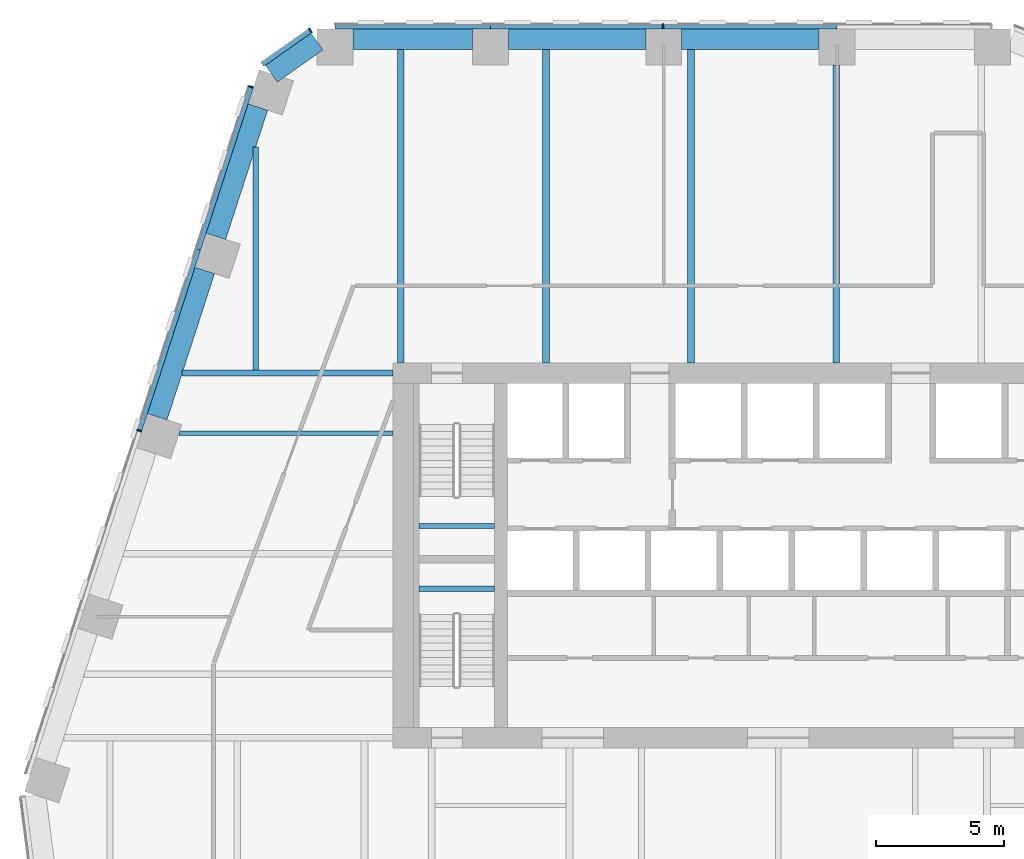
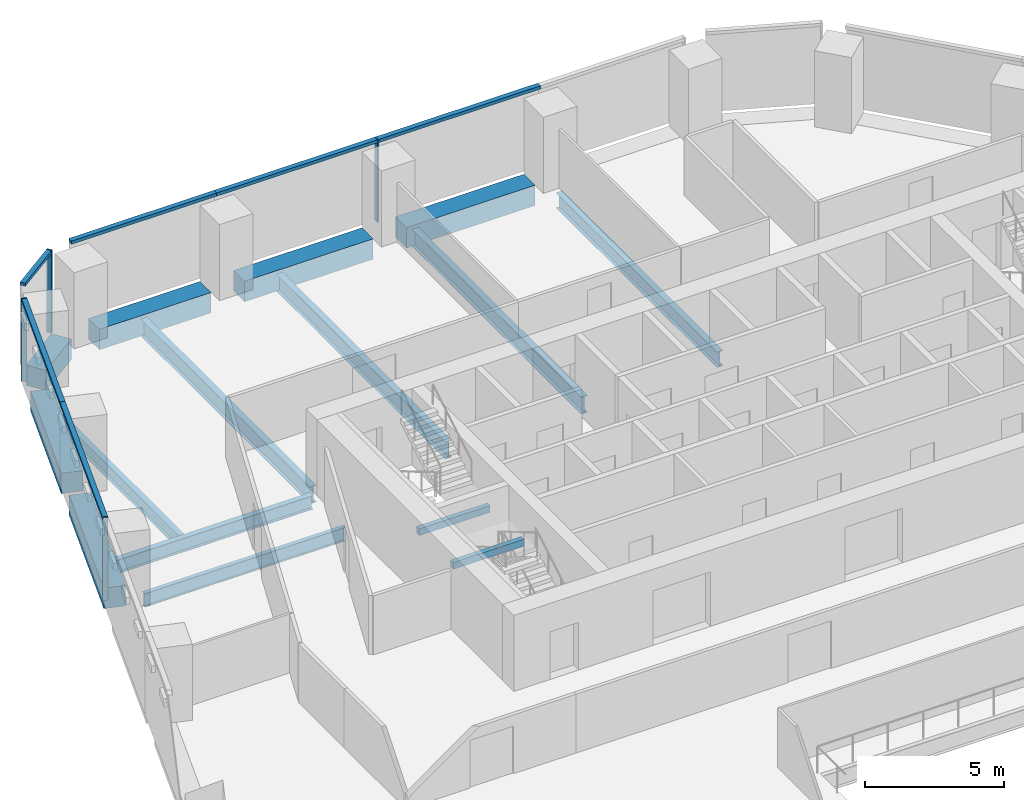
# One storey, part 7 of 17: 15 beams, 10 members, 3 elements without a shape of their own.
"""IFC4 building model written with IfcOpenShell, lengths in metres."""

from ifc_helpers import new_model, si_unit, direction, frame, origin, origin_2d, place, context, subcontext, project, spatial, rectangle, i_section, extrude, material, layer, layer_set, material_profile, profile_set, type_object, element, aggregate, save


model = new_model("IFC4")

# Units and contexts
model_context = context("Model", 3, precision=1e-05, world=origin(), true_north=direction((0.0, 1.0)))
body_context = subcontext(model_context, "Body", "Model", "MODEL_VIEW")
ifc_project = project(units=[si_unit("LENGTHUNIT", "METRE"), si_unit("AREAUNIT", "SQUARE_METRE"), si_unit("VOLUMEUNIT", "CUBIC_METRE"), si_unit("PLANEANGLEUNIT", "RADIAN"), si_unit("MASSUNIT", "GRAM", prefix="KILO")], contexts=[model_context])

# Site, building, storey
site_placement = place(None, origin())
site = spatial("IfcSite", under=ifc_project, at=site_placement, CompositionType="ELEMENT")
building_placement = place(site_placement, origin())
building = spatial("IfcBuilding", under=site, at=building_placement, Name="Isthmus Gate Tower", CompositionType="ELEMENT")
storey_placement = place(building_placement, frame((0.0, 0.0, 162.64990234375)))
storey = spatial("IfcBuildingStorey", under=building, at=storey_placement, Name="L40", CompositionType="ELEMENT", Elevation=162.64990234375)

# Curtain wall, member
ifc_material_1 = material(Name="Aluminium, pale champagne anodised", Category="aluminium")
ifc_layer = layer(ifc_material_1, 0.199951171875)
ifc_layer_set = layer_set([ifc_layer], Name="CW-1 UNITISED CURTAIN WALL 200 DEEP")
curtain_wall_type = type_object("IfcCurtainWallType", Name="CW-1 UNITISED CURTAIN WALL 200 DEEP", PredefinedType="NOTDEFINED", material=ifc_layer_set)
curtain_wall_1_placement = place(storey_placement, origin())
curtain_wall_1 = element("IfcCurtainWall", 1, at=curtain_wall_1_placement, inside=storey, type_object=curtain_wall_type, Name="CW-1 N L40", PredefinedType="NOTDEFINED")
ifc_material_2 = material(Name="Aluminium, pale champagne anodised", Category="aluminium")
ifc_material_profile_1 = material_profile(ifc_material_2, rectangle(XDim=0.06005859375, YDim=0.199951171875, at=origin_2d()), Name="60x200")
ifc_profile_set_1 = profile_set([ifc_material_profile_1], Name="Aluminium, pale champagne anodised")
member_type_1 = type_object("IfcMemberType", Name="CW-1 MULLION 60 X 200", PredefinedType="MULLION", material=ifc_profile_set_1)
member_1_placement = place(storey_placement, frame((-4.49169921875, 28.10009765625, 0.0), z_axis=(0.0, 0.0, 1.0), x_axis=(-1.0, 0.0, 0.0)))
member_1 = element("IfcMember", 2, at=member_1_placement, type_object=member_type_1, Name="CW-1 mullion", PredefinedType="MULLION", context=body_context, shape_type="SweptSolid", body=[
    extrude(rectangle(XDim=0.06005859375, YDim=0.199951171875, at=origin_2d()), origin(), (0.0, 0.0, 1.0), 3.650146484375),
])

curtain_wall_2_placement = place(storey_placement, origin())
curtain_wall_2 = element("IfcCurtainWall", 3, at=curtain_wall_2_placement, inside=storey, type_object=curtain_wall_type, Name="CW-1 N-NW L40", PredefinedType="NOTDEFINED")
member_2_placement = place(storey_placement, frame((-18.216552734375, 27.943115234375, 0.0), z_axis=(0.0, 0.0, 1.0), x_axis=(-0.81785959165, -0.57541783805, 0.0)))
member_2 = element("IfcMember", 4, at=member_2_placement, type_object=member_type_1, Name="CW-1 mullion", PredefinedType="MULLION", context=body_context, shape_type="SweptSolid", body=[
    extrude(rectangle(XDim=0.06005859375, YDim=0.199951171875, at=origin_2d()), origin(), (0.0, 0.0, 1.0), 3.650146484375),
])

# Curtain wall, members
curtain_wall_3_placement = place(storey_placement, origin())
curtain_wall_3 = element("IfcCurtainWall", 5, at=curtain_wall_3_placement, inside=storey, type_object=curtain_wall_type, Name="CW-1 NW L40", PredefinedType="NOTDEFINED")
member_3_placement = place(storey_placement, frame((-20.53564453125, 25.75146484375, 0.0), z_axis=(0.0, 0.0, 1.0), x_axis=(-0.309016994375, -0.951056516295, 0.0)))
member_3 = element("IfcMember", 6, at=member_3_placement, type_object=member_type_1, Name="CW-1 mullion", PredefinedType="MULLION", context=body_context, shape_type="SweptSolid", body=[
    extrude(rectangle(XDim=0.06005859375, YDim=0.199951171875, at=origin_2d()), origin(), (0.0, 0.0, 1.0), 3.650146484375),
])
member_4_placement = place(storey_placement, frame((-24.886962890625, 12.359130859375, 0.0), z_axis=(0.0, 0.0, 1.0), x_axis=(-0.309016994375, -0.951056516295, 0.0)))
member_4 = element("IfcMember", 7, at=member_4_placement, type_object=member_type_1, Name="CW-1 mullion", PredefinedType="MULLION", context=body_context, shape_type="SweptSolid", body=[
    extrude(rectangle(XDim=0.06005859375, YDim=0.199951171875, at=origin_2d()), origin(), (0.0, 0.0, 1.0), 3.650146484375),
])

# Member
ifc_material_3 = material(Name="Aluminium, pale champagne anodised", Category="aluminium")
ifc_material_profile_2 = material_profile(ifc_material_3, rectangle(XDim=0.199951171875, YDim=0.139892578125, at=origin_2d()), Name="200x140")
ifc_profile_set_2 = profile_set([ifc_material_profile_2], Name="Aluminium, pale champagne anodised")
member_type_2 = type_object("IfcMemberType", Name="CW-1 TRANSOM 200 X 140", PredefinedType="USERDEFINED", material=ifc_profile_set_2)
member_5_placement = place(storey_placement, frame((2.288330078125, 28.10009765625, 3.580078125), z_axis=(-1.0, 0.0, 0.0), x_axis=(0.0, -1.0, 0.0)))
member_5 = element("IfcMember", 8, at=member_5_placement, type_object=member_type_2, Name="CW-1 transom", ObjectType="TRANSOM", PredefinedType="USERDEFINED", context=body_context, shape_type="SweptSolid", body=[
    extrude(rectangle(XDim=0.199951171875, YDim=0.139892578125, at=origin_2d()), origin(), (0.0, 0.0, 1.0), 6.75),
])

member_6_placement = place(storey_placement, frame((-4.521728515625, 28.10009765625, 3.580078125), z_axis=(-1.0, 0.0, 0.0), x_axis=(0.0, -1.0, 0.0)))
member_6 = element("IfcMember", 9, at=member_6_placement, type_object=member_type_2, Name="CW-1 transom", ObjectType="TRANSOM", PredefinedType="USERDEFINED", context=body_context, shape_type="SweptSolid", body=[
    extrude(rectangle(XDim=0.199951171875, YDim=0.139892578125, at=origin_2d()), origin(), (0.0, 0.0, 1.0), 6.690185546875),
])

member_7_placement = place(storey_placement, frame((-11.2119140625, 28.10009765625, 3.580078125), z_axis=(-1.0, 0.0, 0.0), x_axis=(0.0, -1.0, 0.0)))
member_7 = element("IfcMember", 10, at=member_7_placement, type_object=member_type_2, Name="CW-1 transom", ObjectType="TRANSOM", PredefinedType="USERDEFINED", context=body_context, shape_type="SweptSolid", body=[
    extrude(rectangle(XDim=0.199951171875, YDim=0.139892578125, at=origin_2d()), origin(), (0.0, 0.0, 1.0), 6.050048828125),
])

aggregate(curtain_wall_1, [member_5, member_1, member_6, member_7])

member_8_placement = place(storey_placement, frame((-18.2412109375, 27.92578125, 3.580078125), z_axis=(-0.817868595604, -0.575405040233, 0.0), x_axis=(0.575405040233, -0.817868595604, 0.0)))
member_8 = element("IfcMember", 11, at=member_8_placement, type_object=member_type_2, Name="CW-1 transom", ObjectType="TRANSOM", PredefinedType="USERDEFINED", context=body_context, shape_type="SweptSolid", body=[
    extrude(rectangle(XDim=0.199951171875, YDim=0.139892578125, at=origin_2d()), origin(), (0.0, 0.0, 1.0), 2.258544921875),
])

aggregate(curtain_wall_2, [member_2, member_8])

member_9_placement = place(storey_placement, frame((-20.544921875, 25.72314453125, 3.580078125), z_axis=(-0.30898366881, -0.951067343782, 0.0), x_axis=(0.951067343782, -0.30898366881, 0.0)))
member_9 = element("IfcMember", 12, at=member_9_placement, type_object=member_type_2, Name="CW-1 transom", ObjectType="TRANSOM", PredefinedType="USERDEFINED", context=body_context, shape_type="SweptSolid", body=[
    extrude(rectangle(XDim=0.199951171875, YDim=0.139892578125, at=origin_2d()), origin(), (0.0, 0.0, 1.0), 6.630859375),
])

member_10_placement = place(storey_placement, frame((-22.59375, 19.416748046875, 3.580078125), z_axis=(-0.309024076379, -0.951054215183, 0.0), x_axis=(0.951054215183, -0.309024076379, 0.0)))
member_10 = element("IfcMember", 13, at=member_10_placement, type_object=member_type_2, Name="CW-1 transom", ObjectType="TRANSOM", PredefinedType="USERDEFINED", context=body_context, shape_type="SweptSolid", body=[
    extrude(rectangle(XDim=0.199951171875, YDim=0.139892578125, at=origin_2d()), origin(), (0.0, 0.0, 1.0), 7.390869140625),
])

aggregate(curtain_wall_3, [member_3, member_9, member_10, member_4])

# Beams
ifc_material_4 = material(Name="Concrete f'c 60 MPa", Category="concrete")
ifc_material_profile_3 = material_profile(ifc_material_4, rectangle(XDim=0.800048828125, YDim=0.89990234375, at=origin_2d()), Name="RC 800X900")
ifc_profile_set_3 = profile_set([ifc_material_profile_3], Name="Concrete f'c 60 MPa")
beam_type_1 = type_object("IfcBeamType", Name="RC SPANDREL 800 X 900", PredefinedType="SPANDREL", material=ifc_profile_set_3)
beam_1_placement = place(storey_placement, frame((-24.185791015625, 12.89892578125, -0.449951171875), z_axis=(0.308992998998, 0.951064312531, 0.0), x_axis=(-0.951064312531, 0.308992998998, 0.0)))
element("IfcBeam", 14, at=beam_1_placement, inside=storey, type_object=beam_type_1, Name="str-spandrel-L40-23", PredefinedType="SPANDREL", context=body_context, shape_type="SweptSolid", body=[
    extrude(rectangle(XDim=0.800048828125, YDim=0.89990234375, at=origin_2d()), origin(), (0.0, 0.0, 1.0), 5.99072265625),
])
beam_2_placement = place(storey_placement, frame((-21.902099609375, 19.927978515625, -0.449951171875), z_axis=(0.309020339202, 0.951055429489, 0.0), x_axis=(-0.951055429489, 0.309020339202, 0.0)))
element("IfcBeam", 15, at=beam_2_placement, inside=storey, type_object=beam_type_1, Name="str-spandrel-L40-24", PredefinedType="SPANDREL", context=body_context, shape_type="SweptSolid", body=[
    extrude(rectangle(XDim=0.800048828125, YDim=0.89990234375, at=origin_2d()), origin(), (0.0, 0.0, 1.0), 5.291015625),
])
beam_3_placement = place(storey_placement, frame((-19.7392578125, 26.260498046875, -0.449951171875), z_axis=(0.817857331203, 0.575421050882, 0.0), x_axis=(-0.575421050882, 0.817857331203, 0.0)))
element("IfcBeam", 16, at=beam_3_placement, inside=storey, type_object=beam_type_1, Name="str-spandrel-L40-25", PredefinedType="SPANDREL", context=body_context, shape_type="SweptSolid", body=[
    extrude(rectangle(XDim=0.800048828125, YDim=0.89990234375, at=origin_2d()), origin(), (0.0, 0.0, 1.0), 2.173095703125),
])
beam_4_placement = place(storey_placement, frame((-16.56201171875, 27.60009765625, -0.449951171875), z_axis=(1.0, 0.0, 0.0), x_axis=(0.0, 1.0, 0.0)))
element("IfcBeam", 17, at=beam_4_placement, inside=storey, type_object=beam_type_1, Name="str-spandrel-L40-26", PredefinedType="SPANDREL", context=body_context, shape_type="SweptSolid", body=[
    extrude(rectangle(XDim=0.800048828125, YDim=0.89990234375, at=origin_2d()), origin(), (0.0, 0.0, 1.0), 4.650146484375),
])
for number, where, z_axis, x_axis, name in (
    (18, (-10.51171875, 27.60009765625, -0.449951171875), (1.0, 0.0, 0.0), (0.0, 1.0, 0.0), "str-spandrel-L40-27"),
    (19, (-3.76171875, 27.60009765625, -0.449951171875), (1.0, 0.0, 0.0), (0.0, 1.0, 0.0), "str-spandrel-L40-28"),
):
    element("IfcBeam", number, at=place(storey_placement, frame(where, z_axis=z_axis, x_axis=x_axis)), inside=storey, type_object=beam_type_1, Name=name, PredefinedType="SPANDREL", context=body_context, shape_type="SweptSolid", body=[
        extrude(rectangle(XDim=0.800048828125, YDim=0.89990234375, at=origin_2d()), origin(), (0.0, 0.0, 1.0), 5.35009765625),
    ])
ifc_material_5 = material(Name="Concrete f'c 40 MPa", Category="concrete")
ifc_material_profile_4 = material_profile(ifc_material_5, rectangle(XDim=0.199951171875, YDim=0.300048828125, at=origin_2d()), Name="STAIR LANDING BEAM RC 200 X 300")
ifc_profile_set_4 = profile_set([ifc_material_profile_4], Name="Concrete f'c 40 MPa")
beam_type_2 = type_object("IfcBeamType", Name="STAIR LANDING BEAM RC 200 X 300", PredefinedType="BEAM", material=ifc_profile_set_4)
for number, where, z_axis, x_axis, name in (
    (20, (-14.0, 8.64990234375, 1.47509765625), (1.0, 0.0, 0.0), (0.0, 1.0, 0.0), "L40 ST1 landing beam 1"),
    (21, (-14.0, 6.199951171875, 1.47509765625), (1.0, 0.0, 0.0), (0.0, 1.0, 0.0), "L40 ST7 landing beam 1"),
):
    element("IfcBeam", number, at=place(storey_placement, frame(where, z_axis=z_axis, x_axis=x_axis)), inside=storey, type_object=beam_type_2, Name=name, PredefinedType="BEAM", context=body_context, shape_type="SweptSolid", body=[
        extrude(rectangle(XDim=0.199951171875, YDim=0.300048828125, at=origin_2d()), origin(), (0.0, 0.0, 1.0), 2.949951171875),
    ])
ifc_material_6 = material(Name="Structural steel ASTM A992 Gr 50", Category="steel")
ifc_material_profile_5 = material_profile(ifc_material_6, i_section(OverallWidth=0.177734375, OverallDepth=0.60009765625, WebThickness=0.009521484375, FlangeThickness=0.0126953125, at=origin_2d()), Name="W24X55")
ifc_profile_set_5 = profile_set([ifc_material_profile_5], Name="Structural steel ASTM A992 Gr 50")
beam_type_3 = type_object("IfcBeamType", Name="STEEL FLOOR BEAM W24X55", PredefinedType="JOIST", material=ifc_profile_set_5)
beam_5_placement = place(storey_placement, frame((-23.343505859375, 12.25537109375, -0.449951171875), z_axis=(1.0, 0.0, 0.0), x_axis=(0.0, 1.0, 0.0)))
element("IfcBeam", 22, at=beam_5_placement, inside=storey, type_object=beam_type_3, Name="str-beam-L40-01-02", PredefinedType="JOIST", context=body_context, shape_type="SweptSolid", body=[
    extrude(i_section(OverallWidth=0.177734375, OverallDepth=0.60009765625, WebThickness=0.009521484375, FlangeThickness=0.0126953125, at=origin_2d()), origin(), (0.0, 0.0, 1.0), 8.343505859375),
])
ifc_material_7 = material(Name="Structural steel ASTM A992 Gr 50", Category="steel")
ifc_material_profile_6 = material_profile(ifc_material_7, i_section(OverallWidth=0.228515625, OverallDepth=0.603271484375, WebThickness=0.010986328125, FlangeThickness=0.014404296875, at=origin_2d()), Name="W24X68")
ifc_profile_set_6 = profile_set([ifc_material_profile_6], Name="Structural steel ASTM A992 Gr 50")
beam_type_4 = type_object("IfcBeamType", Name="STEEL FLOOR BEAM W24X68", PredefinedType="JOIST", material=ifc_profile_set_6)
beam_6_placement = place(storey_placement, frame((-20.35009765625, 14.71435546875, -0.451416015625), z_axis=(0.0, 1.0, 0.0), x_axis=(-1.0, 0.0, 0.0)))
element("IfcBeam", 23, at=beam_6_placement, inside=storey, type_object=beam_type_4, Name="str-beam-L40-05-00", PredefinedType="JOIST", context=body_context, shape_type="SweptSolid", body=[
    extrude(i_section(OverallWidth=0.228515625, OverallDepth=0.603271484375, WebThickness=0.010986328125, FlangeThickness=0.014404296875, at=origin_2d()), origin(), (0.0, 0.0, 1.0), 8.6953125),
])
ifc_material_8 = material(Name="Structural steel ASTM A992 Gr 50", Category="steel")
ifc_material_profile_7 = material_profile(ifc_material_8, i_section(OverallWidth=0.25390625, OverallDepth=0.679443359375, WebThickness=0.010986328125, FlangeThickness=0.015869140625, at=origin_2d()), Name="W27X84")
ifc_profile_set_7 = profile_set([ifc_material_profile_7], Name="Structural steel ASTM A992 Gr 50")
beam_type_5 = type_object("IfcBeamType", Name="STEEL FLOOR BEAM W27X84", PredefinedType="JOIST", material=ifc_profile_set_7)
beam_7_placement = place(storey_placement, frame((2.25244140625, 15.0, -0.489501953125), z_axis=(0.0, 1.0, 0.0), x_axis=(-1.0, 0.0, 0.0)))
element("IfcBeam", 24, at=beam_7_placement, inside=storey, type_object=beam_type_5, Name="str-beam-L40-05-04", PredefinedType="JOIST", context=body_context, shape_type="SweptSolid", body=[
    extrude(i_section(OverallWidth=0.25390625, OverallDepth=0.679443359375, WebThickness=0.010986328125, FlangeThickness=0.015869140625, at=origin_2d()), origin(), (0.0, 0.0, 1.0), 11.60009765625),
])
ifc_material_9 = material(Name="Structural steel ASTM A992 Gr 50", Category="steel")
ifc_material_profile_8 = material_profile(ifc_material_9, i_section(OverallWidth=0.263427734375, OverallDepth=0.749267578125, WebThickness=0.0126953125, FlangeThickness=0.015869140625, at=origin_2d()), Name="W30X90")
ifc_profile_set_8 = profile_set([ifc_material_profile_8], Name="Structural steel ASTM A992 Gr 50")
beam_type_6 = type_object("IfcBeamType", Name="STEEL FLOOR BEAM W30X90", PredefinedType="JOIST", material=ifc_profile_set_8)
for number, where, z_axis, x_axis, name in (
    (25, (-14.699462890625, 15.0, -0.524658203125), (0.0, 1.0, 0.0), (-1.0, 0.0, 0.0), "str-beam-L40-05-01"),
    (26, (-9.048828125, 15.0, -0.524658203125), (0.0, 1.0, 0.0), (-1.0, 0.0, 0.0), "str-beam-L40-05-02"),
    (27, (-3.398193359375, 15.0, -0.524658203125), (0.0, 1.0, 0.0), (-1.0, 0.0, 0.0), "str-beam-L40-05-03"),
):
    element("IfcBeam", number, at=place(storey_placement, frame(where, z_axis=z_axis, x_axis=x_axis)), inside=storey, type_object=beam_type_6, Name=name, PredefinedType="JOIST", context=body_context, shape_type="SweptSolid", body=[
        extrude(i_section(OverallWidth=0.263427734375, OverallDepth=0.749267578125, WebThickness=0.0126953125, FlangeThickness=0.015869140625, at=origin_2d()), origin(), (0.0, 0.0, 1.0), 12.199951171875),
    ])
ifc_material_10 = material(Name="Structural steel ASTM A992 Gr 50", Category="steel")
ifc_material_profile_9 = material_profile(ifc_material_10, i_section(OverallWidth=0.228515625, OverallDepth=0.6064453125, WebThickness=0.010986328125, FlangeThickness=0.017578125, at=origin_2d()), Name="W24X76")
ifc_profile_set_9 = profile_set([ifc_material_profile_9], Name="Structural steel ASTM A992 Gr 50")
beam_type_7 = type_object("IfcBeamType", Name="STEEL GIRDER W24X76", PredefinedType="BEAM", material=ifc_profile_set_9)
beam_8_placement = place(storey_placement, frame((-15.0, 14.60009765625, -0.453125), z_axis=(-1.0, 0.0, 0.0), x_axis=(0.0, -1.0, 0.0)))
element("IfcBeam", 28, at=beam_8_placement, inside=storey, type_object=beam_type_7, Name="str-girder-L40-15", PredefinedType="BEAM", context=body_context, shape_type="SweptSolid", body=[
    extrude(i_section(OverallWidth=0.228515625, OverallDepth=0.6064453125, WebThickness=0.010986328125, FlangeThickness=0.017578125, at=origin_2d()), origin(), (0.0, 0.0, 1.0), 8.212646484375),
])

save(model, "model.ifc")
